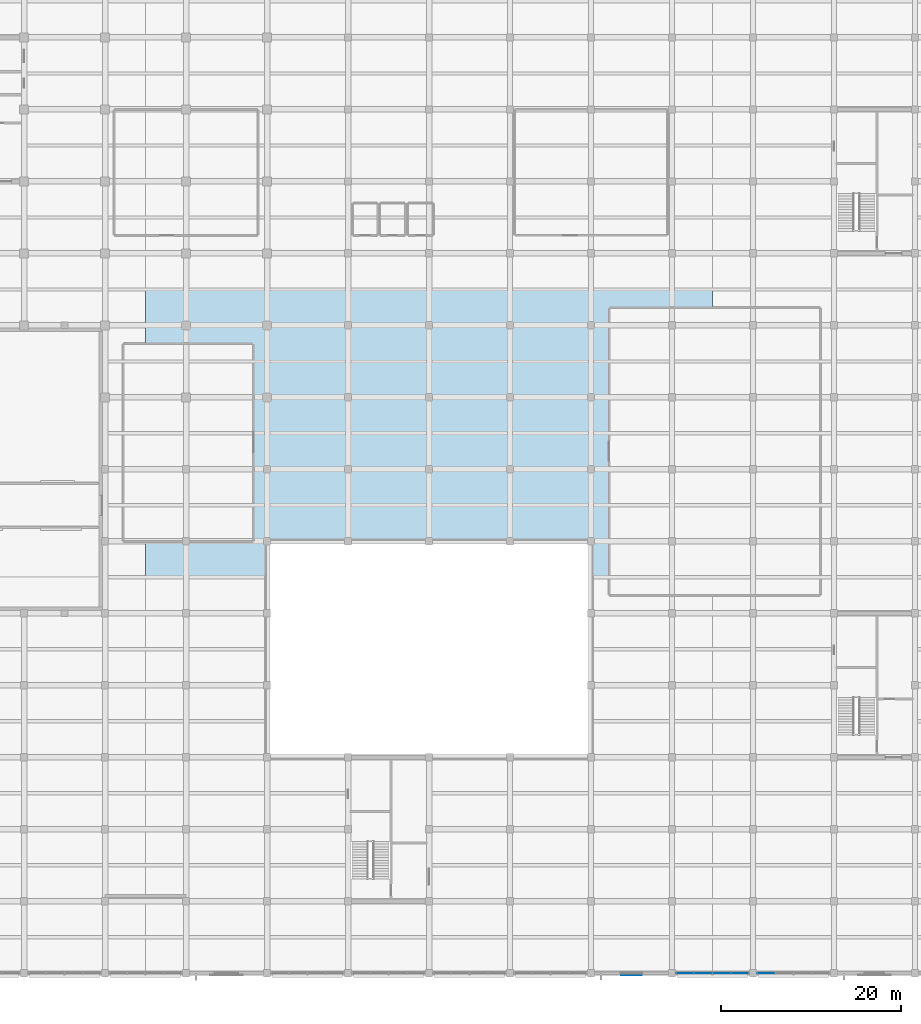
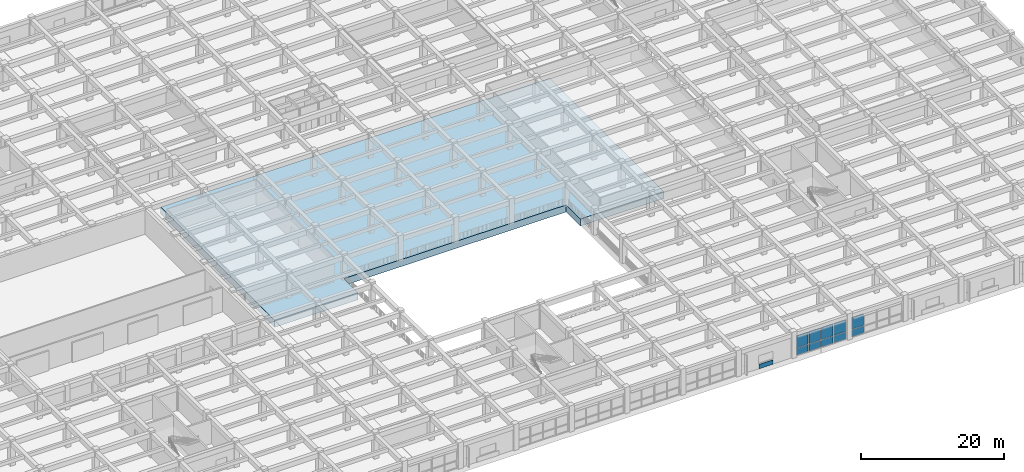
# One storey, part 22 of 50: 11 plates, 1 slab, 2 elements without a shape of their own.
"""IFC4 building model written with IfcOpenShell, lengths in metres."""

from ifc_helpers import new_model, si_unit, direction, frame, frame_2d, origin, place, context, subcontext, project, spatial, polyline, rectangle, outline, extrude, material, layer, layer_set, type_object, element, aggregate, save


model = new_model("IFC4")

# Units and contexts
model_context = context("Model", 3, precision=1e-05, world=origin(), true_north=direction((0.0, 1.0)))
body_context = subcontext(model_context, "Body", "Model", "MODEL_VIEW")
ifc_project = project(units=[si_unit("LENGTHUNIT", "METRE"), si_unit("AREAUNIT", "SQUARE_METRE"), si_unit("VOLUMEUNIT", "CUBIC_METRE"), si_unit("PLANEANGLEUNIT", "RADIAN"), si_unit("MASSUNIT", "GRAM", prefix="KILO")], contexts=[model_context])

# Site, building, storey
site_placement = place(None, origin())
site = spatial("IfcSite", under=ifc_project, at=site_placement, CompositionType="ELEMENT")
building_placement = place(site_placement, origin())
building = spatial("IfcBuilding", under=site, at=building_placement, Name="Zaverband Oceanarium and Marine Research Institute", CompositionType="ELEMENT")
storey_placement = place(building_placement, frame((0.0, 0.0, 4.5)))
storey = spatial("IfcBuildingStorey", under=building, at=storey_placement, Name="L01", CompositionType="ELEMENT", Elevation=4.5)

# Curtain wall, plates
ifc_material_1 = material(Name="Thermally broken anodized aluminium and solar-control glass", Category="aluminium")
curtain_wall_type = type_object("IfcCurtainWallType", Name="CW-UNIT-1800", PredefinedType="NOTDEFINED", material=ifc_material_1)
curtain_wall_1_placement = place(storey_placement, origin())
curtain_wall_1 = element("IfcCurtainWall", 1, at=curtain_wall_1_placement, inside=storey, type_object=curtain_wall_type, Name="Unitised glazed curtain wall CW-021", PredefinedType="NOTDEFINED")
ifc_material_2 = material(Name="Low-E double-glazed solar-control glass", Category="glass")
ifc_layer_1 = layer(ifc_material_2, 0.033935546875, Name="Low-E double-glazed solar-control glass")
ifc_layer_set_1 = layer_set([ifc_layer_1], Name="Low-E double-glazed solar-control glass")
plate_type_1 = type_object("IfcPlateType", Name="CWP-1765x1211", PredefinedType="CURTAIN_PANEL", material=ifc_layer_set_1)
plate_1_placement = place(storey_placement, frame((117.485107421875, 0.0, 0.050048828125), z_axis=(0.0, 0.0, 1.0), x_axis=(1.0, 0.0, 0.0)))
plate_1 = element("IfcPlate", 2, at=plate_1_placement, type_object=plate_type_1, Name="Glazed curtain wall panel CWP-1765x1211", PredefinedType="CURTAIN_PANEL", context=body_context, shape_type="SweptSolid", body=[
    extrude(rectangle(XDim=1.887451171875, YDim=0.033935546875, at=frame_2d((0.94384765625, 0.0))), origin(), (0.0, 0.0, 1.0), 1.2109375),
])
plate_2_placement = place(storey_placement, frame((119.532470703125, 0.0, 0.050048828125), z_axis=(0.0, 0.0, 1.0), x_axis=(1.0, 0.0, 0.0)))
plate_2 = element("IfcPlate", 3, at=plate_2_placement, type_object=plate_type_1, Name="Glazed curtain wall panel CWP-1765x1211", PredefinedType="CURTAIN_PANEL", context=body_context, shape_type="SweptSolid", body=[
    extrude(rectangle(XDim=1.887451171875, YDim=0.033935546875, at=frame_2d((0.94384765625, 0.0))), origin(), (0.0, 0.0, 1.0), 1.2109375),
])
plate_3_placement = place(storey_placement, frame((121.580078125, 0.0, 0.050048828125), z_axis=(0.0, 0.0, 1.0), x_axis=(1.0, 0.0, 0.0)))
plate_3 = element("IfcPlate", 4, at=plate_3_placement, type_object=plate_type_1, Name="Glazed curtain wall panel CWP-1765x1211", PredefinedType="CURTAIN_PANEL", context=body_context, shape_type="SweptSolid", body=[
    extrude(rectangle(XDim=1.887451171875, YDim=0.033935546875, at=frame_2d((0.94384765625, 0.0))), origin(), (0.0, 0.0, 1.0), 1.2109375),
])
plate_4_placement = place(storey_placement, frame((123.62744140625, 0.0, 0.050048828125), z_axis=(0.0, 0.0, 1.0), x_axis=(1.0, 0.0, 0.0)))
plate_4 = element("IfcPlate", 5, at=plate_4_placement, type_object=plate_type_1, Name="Glazed curtain wall panel CWP-1765x1211", PredefinedType="CURTAIN_PANEL", context=body_context, shape_type="SweptSolid", body=[
    extrude(rectangle(XDim=1.887451171875, YDim=0.033935546875, at=frame_2d((0.94384765625, 0.0))), origin(), (0.0, 0.0, 1.0), 1.2109375),
])

# Curtain wall, plate
curtain_wall_2_placement = place(storey_placement, origin())
curtain_wall_2 = element("IfcCurtainWall", 6, at=curtain_wall_2_placement, inside=storey, type_object=curtain_wall_type, Name="Unitised glazed curtain wall CW-022", PredefinedType="NOTDEFINED")
plate_5_placement = place(storey_placement, frame((126.485107421875, 0.0, 0.050048828125), z_axis=(0.0, 0.0, 1.0), x_axis=(1.0, 0.0, 0.0)))
plate_5 = element("IfcPlate", 7, at=plate_5_placement, type_object=plate_type_1, Name="Glazed curtain wall panel CWP-1765x1211", PredefinedType="CURTAIN_PANEL", context=body_context, shape_type="SweptSolid", body=[
    extrude(rectangle(XDim=1.887451171875, YDim=0.033935546875, at=frame_2d((0.94384765625, 0.0))), origin(), (0.0, 0.0, 1.0), 1.2109375),
])

# Plate
ifc_layer_2 = layer(ifc_material_2, 0.035888671875, Name="Low-E double-glazed solar-control glass")
ifc_layer_set_2 = layer_set([ifc_layer_2], Name="Low-E double-glazed solar-control glass")
plate_type_2 = type_object("IfcPlateType", Name="CWP-1765x2089", PredefinedType="CURTAIN_PANEL", material=ifc_layer_set_2)
plate_6_placement = place(storey_placement, frame((117.485107421875, 0.0, 1.3310546875), z_axis=(0.0, 0.0, 1.0), x_axis=(1.0, 0.0, 0.0)))
plate_6 = element("IfcPlate", 8, at=plate_6_placement, type_object=plate_type_2, Name="Glazed curtain wall panel CWP-1765x2089", PredefinedType="CURTAIN_PANEL", context=body_context, shape_type="SweptSolid", body=[
    extrude(rectangle(XDim=1.887451171875, YDim=0.035888671875, at=frame_2d((0.94384765625, 0.0))), origin(), (0.0, 0.0, 1.0), 2.0888671875),
])

plate_7_placement = place(storey_placement, frame((119.532470703125, 0.0, 1.3310546875), z_axis=(0.0, 0.0, 1.0), x_axis=(1.0, 0.0, 0.0)))
plate_7 = element("IfcPlate", 9, at=plate_7_placement, type_object=plate_type_2, Name="Glazed curtain wall panel CWP-1765x2089", PredefinedType="CURTAIN_PANEL", context=body_context, shape_type="SweptSolid", body=[
    extrude(rectangle(XDim=1.887451171875, YDim=0.035888671875, at=frame_2d((0.94384765625, 0.0))), origin(), (0.0, 0.0, 1.0), 2.0888671875),
])

plate_8_placement = place(storey_placement, frame((121.580078125, 0.0, 1.3310546875), z_axis=(0.0, 0.0, 1.0), x_axis=(1.0, 0.0, 0.0)))
plate_8 = element("IfcPlate", 10, at=plate_8_placement, type_object=plate_type_2, Name="Glazed curtain wall panel CWP-1765x2089", PredefinedType="CURTAIN_PANEL", context=body_context, shape_type="SweptSolid", body=[
    extrude(rectangle(XDim=1.887451171875, YDim=0.035888671875, at=frame_2d((0.94384765625, 0.0))), origin(), (0.0, 0.0, 1.0), 2.0888671875),
])

plate_9_placement = place(storey_placement, frame((123.62744140625, 0.0, 1.3310546875), z_axis=(0.0, 0.0, 1.0), x_axis=(1.0, 0.0, 0.0)))
plate_9 = element("IfcPlate", 11, at=plate_9_placement, type_object=plate_type_2, Name="Glazed curtain wall panel CWP-1765x2089", PredefinedType="CURTAIN_PANEL", context=body_context, shape_type="SweptSolid", body=[
    extrude(rectangle(XDim=1.887451171875, YDim=0.035888671875, at=frame_2d((0.94384765625, 0.0))), origin(), (0.0, 0.0, 1.0), 2.0888671875),
])

aggregate(curtain_wall_1, [plate_1, plate_6, plate_2, plate_7, plate_3, plate_8, plate_4, plate_9])

plate_10_placement = place(storey_placement, frame((126.485107421875, 0.0, 1.3310546875), z_axis=(0.0, 0.0, 1.0), x_axis=(1.0, 0.0, 0.0)))
plate_10 = element("IfcPlate", 12, at=plate_10_placement, type_object=plate_type_2, Name="Glazed curtain wall panel CWP-1765x2089", PredefinedType="CURTAIN_PANEL", context=body_context, shape_type="SweptSolid", body=[
    extrude(rectangle(XDim=1.887451171875, YDim=0.035888671875, at=frame_2d((0.94384765625, 0.0))), origin(), (0.0, 0.0, 1.0), 2.0888671875),
])

aggregate(curtain_wall_2, [plate_5, plate_10])

ifc_material_3 = material(Name="Concrete C40/50 precast ochre", Category="concrete")
ifc_layer_3 = layer(ifc_material_3, 0.074951171875, Name="Concrete C40/50 precast ochre")
ifc_layer_set_3 = layer_set([ifc_layer_3], Name="Concrete C40/50 precast ochre")
plate_type_3 = type_object("IfcPlateType", Name="FRP-2250x740", PredefinedType="USERDEFINED", material=ifc_layer_set_3)
plate_11_placement = place(storey_placement, frame((111.375, -0.177490234375, 0.0), z_axis=(0.0, 0.0, 1.0), x_axis=(1.0, 0.0, 0.0)))
element("IfcPlate", 13, at=plate_11_placement, inside=storey, type_object=plate_type_3, Name="Geometric precast facade cladding panel FRP-2250x740", ObjectType="FLANGE_PLATE", PredefinedType="USERDEFINED", context=body_context, shape_type="SweptSolid", body=[
    extrude(rectangle(XDim=2.25, YDim=0.074951171875, at=frame_2d((1.125, 0.0))), origin(), (0.0, 0.0, 1.0), 0.739990234375),
])

# Slab
ifc_material_4 = material(Name="Concrete C50/60", Category="concrete")
ifc_layer_4 = layer(ifc_material_4, 1.199951171875, Name="Concrete C50/60")
ifc_layer_set_4 = layer_set([ifc_layer_4], Name="Concrete C50/60")
slab_type = type_object("IfcSlabType", Name="SLB-XFER-1200", PredefinedType="FLOOR", material=ifc_layer_set_4)
slab_placement = place(storey_placement, frame((0.0, 0.0, -1.199951171875)))
element("IfcSlab", 14, at=slab_placement, inside=storey, type_object=slab_type, Name="Heavy transfer slab SLB-XFER-1200", PredefinedType="FLOOR", context=body_context, shape_type="SweptSolid", body=[
    extrude(outline(polyline([(58.514892578125, 44.014892578125), (58.514892578125, 75.985107421875), (121.485107421875, 75.985107421875), (121.485107421875, 44.014892578125), (108.0, 44.014892578125), (108.0, 48.0), (72.0, 48.0), (72.0, 44.014892578125), (58.514892578125, 44.014892578125)])), origin(), (0.0, 0.0, 1.0), 1.199951171875),
])

save(model, "model.ifc")
